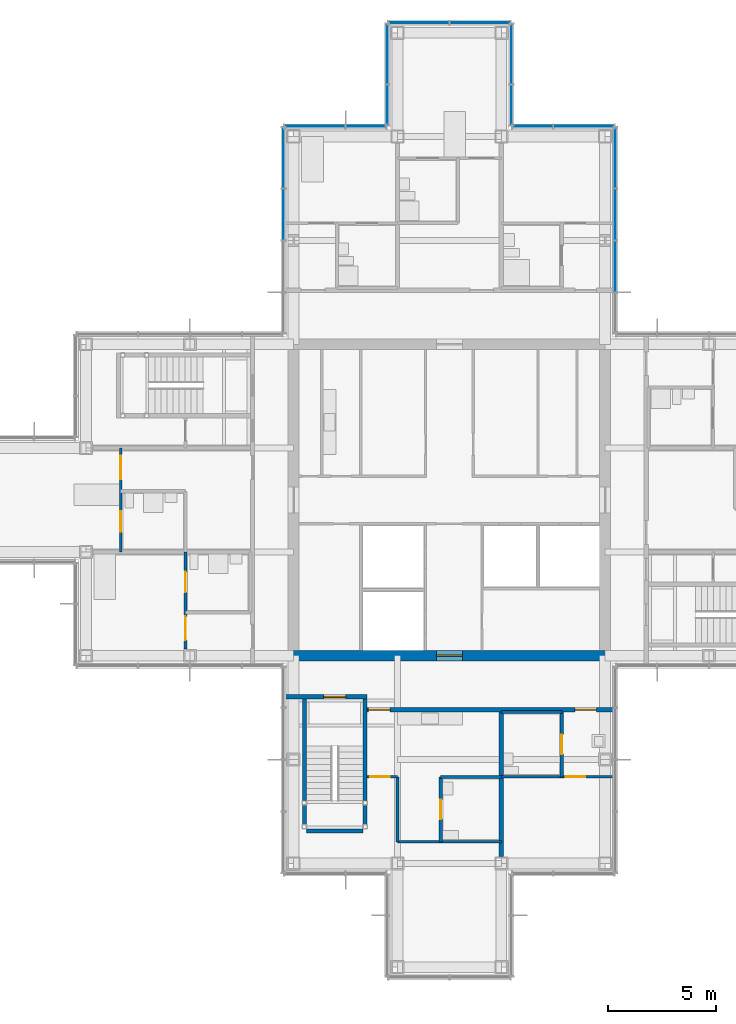
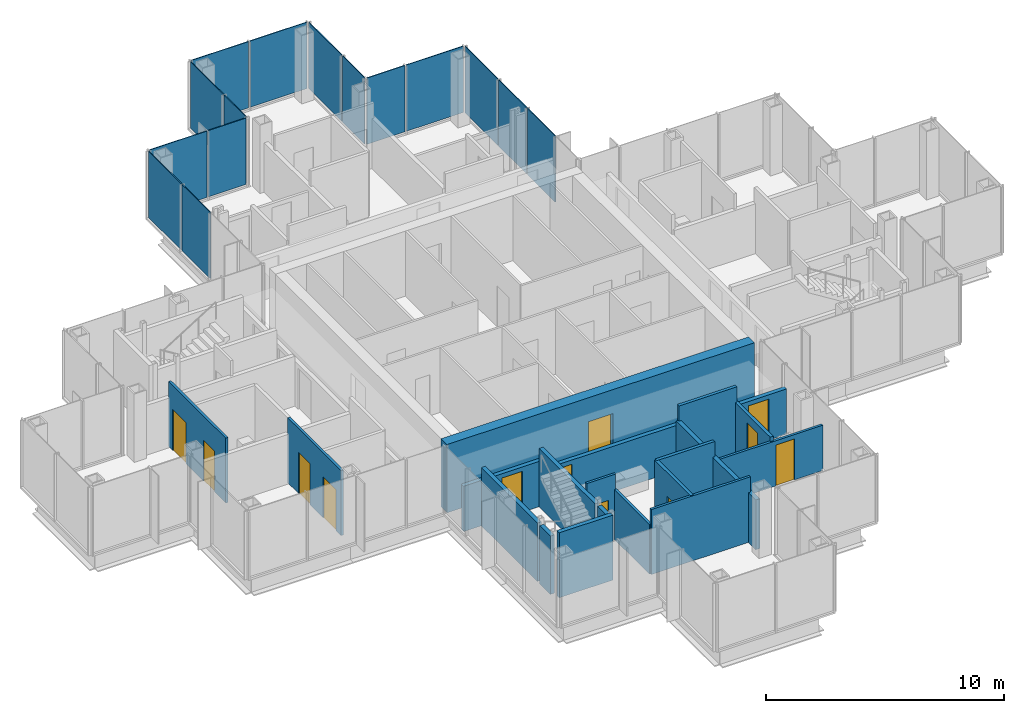
# One storey, part 11 of 17: 19 walls, 15 plates, 12 doors, 12 openings, 7 elements without a shape of their own.
"""IFC4 building model written with IfcOpenShell, lengths in metres."""

from ifc_helpers import new_model, si_unit, direction, frame, frame_2d, origin, origin_2d, place, context, subcontext, project, spatial, rectangle, extrude, material, layer, layer_set, type_object, element, fill, aggregate, save


model = new_model("IFC4")

# Units and contexts
model_context = context("Model", 3, precision=1e-05, world=origin(), true_north=direction((0.0, 1.0)))
body_context = subcontext(model_context, "Body", "Model", "MODEL_VIEW")
ifc_project = project(units=[si_unit("LENGTHUNIT", "METRE"), si_unit("AREAUNIT", "SQUARE_METRE"), si_unit("VOLUMEUNIT", "CUBIC_METRE"), si_unit("PLANEANGLEUNIT", "RADIAN"), si_unit("MASSUNIT", "GRAM", prefix="KILO")], contexts=[model_context])

# Site, building, storey
site_placement = place(None, origin())
site = spatial("IfcSite", under=ifc_project, at=site_placement, CompositionType="ELEMENT")
building_placement = place(site_placement, origin())
building = spatial("IfcBuilding", under=site, at=building_placement, Name="Kvirike Care Tower", CompositionType="ELEMENT")
storey_placement = place(building_placement, frame((0.0, 0.0, 151.5)))
storey = spatial("IfcBuildingStorey", under=building, at=storey_placement, Name="L41", CompositionType="ELEMENT", Elevation=151.5)

# Curtain wall, plates
ifc_material_1 = material(Name="Anodised aluminium stick system", Category="aluminium")
curtain_wall_type = type_object("IfcCurtainWallType", Name="CW-C STICK CURTAIN WALL", PredefinedType="NOTDEFINED", material=ifc_material_1)
curtain_wall_1_placement = place(storey_placement, origin())
curtain_wall_1 = element("IfcCurtainWall", 1, at=curtain_wall_1_placement, inside=storey, type_object=curtain_wall_type, Name="Curtain wall L41 face 8", PredefinedType="NOTDEFINED")
ifc_material_2 = material(Name="Tinted double glazed unit", Category="glass")
ifc_layer_1 = layer(ifc_material_2, 0.0400390625)
ifc_layer_set_1 = layer_set([ifc_layer_1], Name="TINTED VISION PANEL 40")
plate_type = type_object("IfcPlateType", Name="TINTED VISION PANEL 40", PredefinedType="CURTAIN_PANEL", material=ifc_layer_set_1)
plate_1_placement = place(storey_placement, frame((29.27001953125, 46.800048828125, 0.10009765625), z_axis=(0.0, 0.0, 1.0), x_axis=(0.0, 1.0, 0.0)))
plate_1 = element("IfcPlate", 2, at=plate_1_placement, type_object=plate_type, Name="CW-C panel L41 face 8.2", PredefinedType="CURTAIN_PANEL", context=body_context, shape_type="SweptSolid", body=[
    extrude(rectangle(XDim=2.3349609375, YDim=0.0400390625, at=origin_2d()), origin(), (0.0, 0.0, 1.0), 3.39990234375),
])
plate_2_placement = place(storey_placement, frame((29.27001953125, 49.199951171875, 0.10009765625), z_axis=(0.0, 0.0, 1.0), x_axis=(0.0, 1.0, 0.0)))
plate_2 = element("IfcPlate", 3, at=plate_2_placement, type_object=plate_type, Name="CW-C panel L41 face 8.3", PredefinedType="CURTAIN_PANEL", context=body_context, shape_type="SweptSolid", body=[
    extrude(rectangle(XDim=2.3349609375, YDim=0.0400390625, at=origin_2d()), origin(), (0.0, 0.0, 1.0), 3.39990234375),
])
plate_3_placement = place(storey_placement, frame((29.27001953125, 51.81884765625, 0.10009765625), z_axis=(0.0, 0.0, 1.0), x_axis=(0.0, 1.0, 0.0)))
plate_3 = element("IfcPlate", 4, at=plate_3_placement, type_object=plate_type, Name="CW-C panel L41 face 8.4", PredefinedType="CURTAIN_PANEL", context=body_context, shape_type="SweptSolid", body=[
    extrude(rectangle(XDim=2.7724609375, YDim=0.0400390625, at=origin_2d()), origin(), (0.0, 0.0, 1.0), 3.39990234375),
])
aggregate(curtain_wall_1, [plate_1, plate_2, plate_3])

curtain_wall_2_placement = place(storey_placement, origin())
curtain_wall_2 = element("IfcCurtainWall", 5, at=curtain_wall_2_placement, inside=storey, type_object=curtain_wall_type, Name="Curtain wall L41 face 9", PredefinedType="NOTDEFINED")
plate_4_placement = place(storey_placement, frame((27.81884765625, 53.27001953125, 0.10009765625), z_axis=(0.0, 0.0, 1.0), x_axis=(-1.0, 0.0, 0.0)))
plate_4 = element("IfcPlate", 6, at=plate_4_placement, type_object=plate_type, Name="CW-C panel L41 face 9.1", PredefinedType="CURTAIN_PANEL", context=body_context, shape_type="SweptSolid", body=[
    extrude(rectangle(XDim=2.7724609375, YDim=0.0400390625, at=origin_2d()), origin(), (0.0, 0.0, 1.0), 3.39990234375),
])
plate_5_placement = place(storey_placement, frame((25.451171875, 53.27001953125, 0.10009765625), z_axis=(0.0, 0.0, 1.0), x_axis=(-1.0, 0.0, 0.0)))
plate_5 = element("IfcPlate", 7, at=plate_5_placement, type_object=plate_type, Name="CW-C panel L41 face 9.2", PredefinedType="CURTAIN_PANEL", context=body_context, shape_type="SweptSolid", body=[
    extrude(rectangle(XDim=1.83251953125, YDim=0.0400390625, at=origin_2d()), origin(), (0.0, 0.0, 1.0), 3.39990234375),
])
aggregate(curtain_wall_2, [plate_4, plate_5])

curtain_wall_3_placement = place(storey_placement, origin())
curtain_wall_3 = element("IfcCurtainWall", 8, at=curtain_wall_3_placement, inside=storey, type_object=curtain_wall_type, Name="Curtain wall L41 face 10", PredefinedType="NOTDEFINED")
plate_6_placement = place(storey_placement, frame((24.469970703125, 54.251220703125, 0.10009765625), z_axis=(0.0, 0.0, 1.0), x_axis=(0.0, 1.0, 0.0)))
plate_6 = element("IfcPlate", 9, at=plate_6_placement, type_object=plate_type, Name="CW-C panel L41 face 10.1", PredefinedType="CURTAIN_PANEL", context=body_context, shape_type="SweptSolid", body=[
    extrude(rectangle(XDim=1.83251953125, YDim=0.0400390625, at=origin_2d()), origin(), (0.0, 0.0, 1.0), 3.39990234375),
])
plate_7_placement = place(storey_placement, frame((24.469970703125, 56.61865234375, 0.10009765625), z_axis=(0.0, 0.0, 1.0), x_axis=(0.0, 1.0, 0.0)))
plate_7 = element("IfcPlate", 10, at=plate_7_placement, type_object=plate_type, Name="CW-C panel L41 face 10.2", PredefinedType="CURTAIN_PANEL", context=body_context, shape_type="SweptSolid", body=[
    extrude(rectangle(XDim=2.7724609375, YDim=0.0400390625, at=origin_2d()), origin(), (0.0, 0.0, 1.0), 3.39990234375),
])
aggregate(curtain_wall_3, [plate_6, plate_7])

curtain_wall_4_placement = place(storey_placement, origin())
curtain_wall_4 = element("IfcCurtainWall", 11, at=curtain_wall_4_placement, inside=storey, type_object=curtain_wall_type, Name="Curtain wall L41 face 11", PredefinedType="NOTDEFINED")
plate_8_placement = place(storey_placement, frame((23.018798828125, 58.070068359375, 0.10009765625), z_axis=(0.0, 0.0, 1.0), x_axis=(-1.0, 0.0, 0.0)))
plate_8 = element("IfcPlate", 12, at=plate_8_placement, type_object=plate_type, Name="CW-C panel L41 face 11.1", PredefinedType="CURTAIN_PANEL", context=body_context, shape_type="SweptSolid", body=[
    extrude(rectangle(XDim=2.7724609375, YDim=0.0400390625, at=origin_2d()), origin(), (0.0, 0.0, 1.0), 3.39990234375),
])
plate_9_placement = place(storey_placement, frame((20.18115234375, 58.070068359375, 0.10009765625), z_axis=(0.0, 0.0, 1.0), x_axis=(-1.0, 0.0, 0.0)))
plate_9 = element("IfcPlate", 13, at=plate_9_placement, type_object=plate_type, Name="CW-C panel L41 face 11.2", PredefinedType="CURTAIN_PANEL", context=body_context, shape_type="SweptSolid", body=[
    extrude(rectangle(XDim=2.7724609375, YDim=0.0400390625, at=origin_2d()), origin(), (0.0, 0.0, 1.0), 3.39990234375),
])
aggregate(curtain_wall_4, [plate_8, plate_9])

curtain_wall_5_placement = place(storey_placement, origin())
curtain_wall_5 = element("IfcCurtainWall", 14, at=curtain_wall_5_placement, inside=storey, type_object=curtain_wall_type, Name="Curtain wall L41 face 12", PredefinedType="NOTDEFINED")
plate_10_placement = place(storey_placement, frame((18.72998046875, 56.61865234375, 0.10009765625), z_axis=(0.0, 0.0, 1.0), x_axis=(0.0, -1.0, 0.0)))
plate_10 = element("IfcPlate", 15, at=plate_10_placement, type_object=plate_type, Name="CW-C panel L41 face 12.1", PredefinedType="CURTAIN_PANEL", context=body_context, shape_type="SweptSolid", body=[
    extrude(rectangle(XDim=2.7724609375, YDim=0.0400390625, at=origin_2d()), origin(), (0.0, 0.0, 1.0), 3.39990234375),
])
plate_11_placement = place(storey_placement, frame((18.72998046875, 54.251220703125, 0.10009765625), z_axis=(0.0, 0.0, 1.0), x_axis=(0.0, -1.0, 0.0)))
plate_11 = element("IfcPlate", 16, at=plate_11_placement, type_object=plate_type, Name="CW-C panel L41 face 12.2", PredefinedType="CURTAIN_PANEL", context=body_context, shape_type="SweptSolid", body=[
    extrude(rectangle(XDim=1.83251953125, YDim=0.0400390625, at=origin_2d()), origin(), (0.0, 0.0, 1.0), 3.39990234375),
])
aggregate(curtain_wall_5, [plate_10, plate_11])

curtain_wall_6_placement = place(storey_placement, origin())
curtain_wall_6 = element("IfcCurtainWall", 17, at=curtain_wall_6_placement, inside=storey, type_object=curtain_wall_type, Name="Curtain wall L41 face 13", PredefinedType="NOTDEFINED")
plate_12_placement = place(storey_placement, frame((17.748779296875, 53.27001953125, 0.10009765625), z_axis=(0.0, 0.0, 1.0), x_axis=(-1.0, 0.0, 0.0)))
plate_12 = element("IfcPlate", 18, at=plate_12_placement, type_object=plate_type, Name="CW-C panel L41 face 13.1", PredefinedType="CURTAIN_PANEL", context=body_context, shape_type="SweptSolid", body=[
    extrude(rectangle(XDim=1.83251953125, YDim=0.0400390625, at=origin_2d()), origin(), (0.0, 0.0, 1.0), 3.39990234375),
])
plate_13_placement = place(storey_placement, frame((15.38134765625, 53.27001953125, 0.10009765625), z_axis=(0.0, 0.0, 1.0), x_axis=(-1.0, 0.0, 0.0)))
plate_13 = element("IfcPlate", 19, at=plate_13_placement, type_object=plate_type, Name="CW-C panel L41 face 13.2", PredefinedType="CURTAIN_PANEL", context=body_context, shape_type="SweptSolid", body=[
    extrude(rectangle(XDim=2.7724609375, YDim=0.0400390625, at=origin_2d()), origin(), (0.0, 0.0, 1.0), 3.39990234375),
])
aggregate(curtain_wall_6, [plate_12, plate_13])

curtain_wall_7_placement = place(storey_placement, origin())
curtain_wall_7 = element("IfcCurtainWall", 20, at=curtain_wall_7_placement, inside=storey, type_object=curtain_wall_type, Name="Curtain wall L41 face 14", PredefinedType="NOTDEFINED")
plate_14_placement = place(storey_placement, frame((13.929931640625, 51.81884765625, 0.10009765625), z_axis=(0.0, 0.0, 1.0), x_axis=(0.0, -1.0, 0.0)))
plate_14 = element("IfcPlate", 21, at=plate_14_placement, type_object=plate_type, Name="CW-C panel L41 face 14.1", PredefinedType="CURTAIN_PANEL", context=body_context, shape_type="SweptSolid", body=[
    extrude(rectangle(XDim=2.7724609375, YDim=0.0400390625, at=origin_2d()), origin(), (0.0, 0.0, 1.0), 3.39990234375),
])
plate_15_placement = place(storey_placement, frame((13.929931640625, 49.199951171875, 0.10009765625), z_axis=(0.0, 0.0, 1.0), x_axis=(0.0, -1.0, 0.0)))
plate_15 = element("IfcPlate", 22, at=plate_15_placement, type_object=plate_type, Name="CW-C panel L41 face 14.2", PredefinedType="CURTAIN_PANEL", context=body_context, shape_type="SweptSolid", body=[
    extrude(rectangle(XDim=2.3349609375, YDim=0.0400390625, at=origin_2d()), origin(), (0.0, 0.0, 1.0), 3.39990234375),
])
aggregate(curtain_wall_7, [plate_14, plate_15])

# Wall, opening, door
ifc_material_3 = material(Name="Moisture-resistant board partition", Category="gypsum")
ifc_layer_2 = layer(ifc_material_3, 0.14990234375)
ifc_layer_set_2 = layer_set([ifc_layer_2], Name="BATHROOM WALL 150")
wall_type_1 = type_object("IfcWallType", Name="BATHROOM WALL 150", PredefinedType="PARTITIONING", material=ifc_layer_set_2)
wall_1_placement = place(storey_placement, frame((21.199951171875, 20.199951171875, 0.0), z_axis=(0.0, 0.0, 1.0), x_axis=(0.0, 1.0, 0.0)))
wall_1 = element("IfcWall", 23, at=wall_1_placement, inside=storey, type_object=wall_type_1, Name="Bathroom Wall 150 L41", PredefinedType="PARTITIONING", context=body_context, shape_type="SweptSolid", body=[
    extrude(rectangle(XDim=3.0, YDim=0.14990234375, at=frame_2d((1.5, 0.0))), origin(), (0.0, 0.0, 1.0), 3.330078125),
])
opening_1_placement = place(wall_1_placement, frame((1.050048828125, 0.0, 0.0)))
opening_1 = element("IfcOpeningElement", 24, at=opening_1_placement, cuts=wall_1, Name="Opening 41-011", PredefinedType="OPENING", context=body_context, shape_type="SweptSolid", body=[
    extrude(rectangle(XDim=0.89990234375, YDim=2.10009765625, at=frame_2d((0.449951171875, 1.050048828125))), frame((0.0, 0.08544921875, 0.0), z_axis=(0.0, -1.0, 0.0), x_axis=(1.0, 0.0, 0.0)), (0.0, 0.0, 1.0), 0.1708984375),
])
ifc_material_4 = material(Name="Timber door set", Category="wood")
door_type_1 = type_object("IfcDoorType", Name="BATHROOM DOOR 900", OperationType="SINGLE_SWING_RIGHT", PredefinedType="DOOR", material=ifc_material_4)
door_1_placement = place(opening_1_placement, frame((0.89990234375, 0.0, 0.0), z_axis=(0.0, 0.0, 1.0), x_axis=(-1.0, 0.0, 0.0)))
door_1 = element("IfcDoor", 25, at=door_1_placement, inside=storey, type_object=door_type_1, Name="Accessible WC door", OperationType="SINGLE_SWING_LEFT", OverallHeight=2.10009765625, OverallWidth=0.89990234375, PredefinedType="DOOR", context=body_context, shape_type="SweptSolid", body=[
    extrude(rectangle(XDim=0.89990234375, YDim=2.10009765625, at=frame_2d((0.449951171875, 1.050048828125))), frame((0.0, 0.02197265625, 0.0), z_axis=(0.0, -1.0, 0.0), x_axis=(1.0, 0.0, 0.0)), (0.0, 0.0, 1.0), 0.0439453125),
])
fill(opening_1, door_1)

# Wall
wall_2_placement = place(storey_placement, frame((21.199951171875, 23.199951171875, 0.0), z_axis=(0.0, 0.0, 1.0), x_axis=(1.0, 0.0, 0.0)))
element("IfcWall", 26, at=wall_2_placement, inside=storey, type_object=wall_type_1, Name="Bathroom Wall 150 L41", PredefinedType="PARTITIONING", context=body_context, shape_type="SweptSolid", body=[
    extrude(rectangle(XDim=2.800048828125, YDim=0.14990234375, at=frame_2d((1.39990234375, 0.0))), origin(), (0.0, 0.0, 1.0), 3.330078125),
])

# Wall, opening, door
wall_3_placement = place(storey_placement, frame((26.800048828125, 23.199951171875, 0.0), z_axis=(0.0, 0.0, 1.0), x_axis=(0.0, 1.0, 0.0)))
wall_3 = element("IfcWall", 27, at=wall_3_placement, inside=storey, type_object=wall_type_1, Name="Bathroom Wall 150 L41", PredefinedType="PARTITIONING", context=body_context, shape_type="SweptSolid", body=[
    extrude(rectangle(XDim=3.0, YDim=0.14990234375, at=frame_2d((1.5, 0.0))), origin(), (0.0, 0.0, 1.0), 2.550048828125),
])
opening_2_placement = place(wall_3_placement, frame((1.050048828125, 0.0, 0.0)))
opening_2 = element("IfcOpeningElement", 28, at=opening_2_placement, cuts=wall_3, Name="Opening 41-013", PredefinedType="OPENING", context=body_context, shape_type="SweptSolid", body=[
    extrude(rectangle(XDim=0.89990234375, YDim=2.10009765625, at=frame_2d((0.449951171875, 1.050048828125))), frame((0.0, 0.08544921875, 0.0), z_axis=(0.0, -1.0, 0.0), x_axis=(1.0, 0.0, 0.0)), (0.0, 0.0, 1.0), 0.1708984375),
])
door_2_placement = place(opening_2_placement, frame((0.89990234375, 0.0, 0.0), z_axis=(0.0, 0.0, 1.0), x_axis=(-1.0, 0.0, 0.0)))
door_2 = element("IfcDoor", 29, at=door_2_placement, inside=storey, type_object=door_type_1, Name="Staff WC door", OperationType="SINGLE_SWING_LEFT", OverallHeight=2.10009765625, OverallWidth=0.89990234375, PredefinedType="DOOR", context=body_context, shape_type="SweptSolid", body=[
    extrude(rectangle(XDim=0.89990234375, YDim=2.10009765625, at=frame_2d((0.449951171875, 1.050048828125))), frame((0.0, 0.02197265625, 0.0), z_axis=(0.0, -1.0, 0.0), x_axis=(1.0, 0.0, 0.0)), (0.0, 0.0, 1.0), 0.0439453125),
])
fill(opening_2, door_2)

# Wall
wall_4_placement = place(storey_placement, frame((24.0, 26.199951171875, 0.0), z_axis=(0.0, 0.0, 1.0), x_axis=(1.0, 0.0, 0.0)))
element("IfcWall", 30, at=wall_4_placement, inside=storey, type_object=wall_type_1, Name="Bathroom Wall 150 L41", PredefinedType="PARTITIONING", context=body_context, shape_type="SweptSolid", body=[
    extrude(rectangle(XDim=2.800048828125, YDim=0.14990234375, at=frame_2d((1.39990234375, 0.0))), origin(), (0.0, 0.0, 1.0), 3.330078125),
])

# Wall, opening, door
ifc_material_5 = material(Name="Concrete C45/55", Category="concrete")
ifc_layer_3 = layer(ifc_material_5, 0.5)
ifc_layer_set_3 = layer_set([ifc_layer_3], Name="CORE WALL 500 C45-55")
wall_type_2 = type_object("IfcWallType", Name="CORE WALL 500 C45-55", PredefinedType="SHEAR", material=ifc_layer_set_3)
wall_5_placement = place(storey_placement, frame((14.14990234375, 28.800048828125, -0.169921875), z_axis=(0.0, 0.0, 1.0), x_axis=(1.0, 0.0, 0.0)))
wall_5 = element("IfcWall", 31, at=wall_5_placement, inside=storey, type_object=wall_type_2, Name="Core wall S L41", PredefinedType="SHEAR", context=body_context, shape_type="SweptSolid", body=[
    extrude(rectangle(XDim=14.900146484375, YDim=0.5, at=frame_2d((7.4501953125, 0.0))), origin(), (0.0, 0.0, 1.0), 3.5),
])
opening_3_placement = place(wall_5_placement, frame((6.85009765625, 0.0, 0.169921875)))
opening_3 = element("IfcOpeningElement", 32, at=opening_3_placement, cuts=wall_5, Name="Opening 41-048", PredefinedType="OPENING", context=body_context, shape_type="SweptSolid", body=[
    extrude(rectangle(XDim=1.199951171875, YDim=2.10009765625, at=frame_2d((0.60009765625, 1.050048828125))), frame((0.0, 0.260498046875, 0.0), z_axis=(0.0, -1.0, 0.0), x_axis=(1.0, 0.0, 0.0)), (0.0, 0.0, 1.0), 0.52099609375),
])
ifc_material_6 = material(Name="Timber door set", Category="wood")
door_type_2 = type_object("IfcDoorType", Name="CORE DOOR 1200", OperationType="SINGLE_SWING_LEFT", PredefinedType="DOOR", material=ifc_material_6)
door_3_placement = place(opening_3_placement, origin())
door_3 = element("IfcDoor", 33, at=door_3_placement, inside=storey, type_object=door_type_2, Name="Core door S L41", OperationType="SINGLE_SWING_LEFT", OverallHeight=2.10009765625, OverallWidth=1.199951171875, PredefinedType="DOOR", context=body_context, shape_type="SweptSolid", body=[
    extrude(rectangle(XDim=1.199951171875, YDim=2.10009765625, at=frame_2d((0.60009765625, 1.050048828125))), frame((0.0, 0.02685546875, 0.0), z_axis=(0.0, -1.0, 0.0), x_axis=(1.0, 0.0, 0.0)), (0.0, 0.0, 1.0), 0.053955078125),
])
fill(opening_3, door_3)

# Wall, openings, doors
ifc_material_7 = material(Name="Plasterboard corridor wall", Category="gypsum")
ifc_layer_4 = layer(ifc_material_7, 0.199951171875)
ifc_layer_set_4 = layer_set([ifc_layer_4], Name="CORRIDOR WALL 200")
wall_type_3 = type_object("IfcWallType", Name="CORRIDOR WALL 200", PredefinedType="PARTITIONING", material=ifc_layer_set_4)
wall_6_placement = place(storey_placement, frame((17.800048828125, 26.300048828125, 0.0), z_axis=(0.0, 0.0, 1.0), x_axis=(1.0, 0.0, 0.0)))
wall_6 = element("IfcWall", 34, at=wall_6_placement, inside=storey, type_object=wall_type_3, Name="Corridor Wall 200 L41", PredefinedType="PARTITIONING", context=body_context, shape_type="SweptSolid", body=[
    extrude(rectangle(XDim=11.449951171875, YDim=0.199951171875, at=frame_2d((5.72509765625, 0.0))), origin(), (0.0, 0.0, 1.0), 2.320068359375),
])
opening_4_placement = place(wall_6_placement, frame((0.06005859375, 0.0, 0.0)))
opening_4 = element("IfcOpeningElement", 35, at=opening_4_placement, cuts=wall_6, Name="Opening 41-015", PredefinedType="OPENING", context=body_context, shape_type="SweptSolid", body=[
    extrude(rectangle(XDim=1.0, YDim=2.10009765625, at=frame_2d((0.5, 1.050048828125))), frame((0.0, 0.110595703125, 0.0), z_axis=(0.0, -1.0, 0.0), x_axis=(1.0, 0.0, 0.0)), (0.0, 0.0, 1.0), 0.220947265625),
])
opening_5_placement = place(wall_6_placement, frame((9.60009765625, 0.0, 0.0)))
opening_5 = element("IfcOpeningElement", 36, at=opening_5_placement, cuts=wall_6, Name="Opening 41-016", PredefinedType="OPENING", context=body_context, shape_type="SweptSolid", body=[
    extrude(rectangle(XDim=1.0, YDim=2.10009765625, at=frame_2d((0.5, 1.050048828125))), frame((0.0, 0.110595703125, 0.0), z_axis=(0.0, -1.0, 0.0), x_axis=(1.0, 0.0, 0.0)), (0.0, 0.0, 1.0), 0.220947265625),
])
ifc_material_8 = material(Name="Timber door set", Category="wood")
door_type_3 = type_object("IfcDoorType", Name="FLAT ENTRANCE DOOR 1000", OperationType="SINGLE_SWING_LEFT", PredefinedType="DOOR", material=ifc_material_8)
door_4_placement = place(opening_4_placement, frame((1.0, 0.0, 0.0), z_axis=(0.0, 0.0, 1.0), x_axis=(-1.0, 0.0, 0.0)))
door_4 = element("IfcDoor", 37, at=door_4_placement, inside=storey, type_object=door_type_3, Name="Household lounge entrance", OperationType="SINGLE_SWING_LEFT", OverallHeight=2.10009765625, OverallWidth=1.0, PredefinedType="DOOR", context=body_context, shape_type="SweptSolid", body=[
    extrude(rectangle(XDim=1.0, YDim=2.10009765625, at=frame_2d((0.5, 1.050048828125))), frame((0.0, 0.02685546875, 0.0), z_axis=(0.0, -1.0, 0.0), x_axis=(1.0, 0.0, 0.0)), (0.0, 0.0, 1.0), 0.053955078125),
])
fill(opening_4, door_4)
door_5_placement = place(opening_5_placement, frame((1.0, 0.0, 0.0), z_axis=(0.0, 0.0, 1.0), x_axis=(-1.0, 0.0, 0.0)))
door_5 = element("IfcDoor", 38, at=door_5_placement, inside=storey, type_object=door_type_3, Name="Household dining entrance", OperationType="SINGLE_SWING_RIGHT", OverallHeight=2.10009765625, OverallWidth=1.0, PredefinedType="DOOR", context=body_context, shape_type="SweptSolid", body=[
    extrude(rectangle(XDim=1.0, YDim=2.10009765625, at=frame_2d((0.5, 1.050048828125))), frame((0.0, 0.02685546875, 0.0), z_axis=(0.0, -1.0, 0.0), x_axis=(1.0, 0.0, 0.0)), (0.0, 0.0, 1.0), 0.053955078125),
])
fill(opening_5, door_5)

ifc_material_9 = material(Name="Plasterboard partition", Category="gypsum")
ifc_layer_5 = layer(ifc_material_9, 0.1201171875)
ifc_layer_set_5 = layer_set([ifc_layer_5], Name="PARTITION 120")
wall_type_4 = type_object("IfcWallType", Name="PARTITION 120", PredefinedType="PARTITIONING", material=ifc_layer_set_5)
wall_7_placement = place(storey_placement, frame((6.39990234375, 38.39990234375, 0.0), z_axis=(0.0, 0.0, 1.0), x_axis=(0.0, -1.0, 0.0)))
wall_7 = element("IfcWall", 39, at=wall_7_placement, inside=storey, type_object=wall_type_4, Name="Partition 120 L41", PredefinedType="PARTITIONING", context=body_context, shape_type="SweptSolid", body=[
    extrude(rectangle(XDim=4.7998046875, YDim=0.1201171875, at=frame_2d((2.39990234375, 0.0))), origin(), (0.0, 0.0, 1.0), 3.330078125),
])
opening_6_placement = place(wall_7_placement, frame((0.35009765625, 0.0, 0.0)))
opening_6 = element("IfcOpeningElement", 40, at=opening_6_placement, cuts=wall_7, Name="Opening 41-002", PredefinedType="OPENING", context=body_context, shape_type="SweptSolid", body=[
    extrude(rectangle(XDim=1.10009765625, YDim=2.10009765625, at=frame_2d((0.550048828125, 1.050048828125))), frame((0.0, 0.070556640625, 0.0), z_axis=(0.0, -1.0, 0.0), x_axis=(1.0, 0.0, 0.0)), (0.0, 0.0, 1.0), 0.14111328125),
])
opening_7_placement = place(wall_7_placement, frame((2.925048828125, 0.0, 0.0)))
opening_7 = element("IfcOpeningElement", 41, at=opening_7_placement, cuts=wall_7, Name="Opening 41-003", PredefinedType="OPENING", context=body_context, shape_type="SweptSolid", body=[
    extrude(rectangle(XDim=0.949951171875, YDim=2.10009765625, at=frame_2d((0.47509765625, 1.050048828125))), frame((0.0, 0.070556640625, 0.0), z_axis=(0.0, -1.0, 0.0), x_axis=(1.0, 0.0, 0.0)), (0.0, 0.0, 1.0), 0.14111328125),
])
ifc_material_10 = material(Name="Timber door set", Category="wood")
door_type_4 = type_object("IfcDoorType", Name="BEDROOM DOOR 1100", OperationType="SINGLE_SWING_LEFT", PredefinedType="DOOR", material=ifc_material_10)
door_6_placement = place(opening_6_placement, origin())
door_6 = element("IfcDoor", 42, at=door_6_placement, inside=storey, type_object=door_type_4, Name="Memory care bedroom door", OperationType="SINGLE_SWING_RIGHT", OverallHeight=2.10009765625, OverallWidth=1.10009765625, PredefinedType="DOOR", context=body_context, shape_type="SweptSolid", body=[
    extrude(rectangle(XDim=1.10009765625, YDim=2.10009765625, at=frame_2d((0.550048828125, 1.050048828125))), frame((0.0, 0.02197265625, 0.0), z_axis=(0.0, -1.0, 0.0), x_axis=(1.0, 0.0, 0.0)), (0.0, 0.0, 1.0), 0.0439453125),
])
fill(opening_6, door_6)
ifc_material_11 = material(Name="Timber door set", Category="wood")
door_type_5 = type_object("IfcDoorType", Name="EN-SUITE SLIDING DOOR 950", OperationType="SLIDING_TO_LEFT", PredefinedType="DOOR", material=ifc_material_11)
door_7_placement = place(opening_7_placement, origin())
door_7 = element("IfcDoor", 43, at=door_7_placement, inside=storey, type_object=door_type_5, Name="En-suite door", OperationType="SLIDING_TO_RIGHT", OverallHeight=2.10009765625, OverallWidth=0.949951171875, PredefinedType="DOOR", context=body_context, shape_type="SweptSolid", body=[
    extrude(rectangle(XDim=0.949951171875, YDim=2.10009765625, at=frame_2d((0.47509765625, 1.050048828125))), frame((0.0, 0.02197265625, 0.0), z_axis=(0.0, -1.0, 0.0), x_axis=(1.0, 0.0, 0.0)), (0.0, 0.0, 1.0), 0.0439453125),
])
fill(opening_7, door_7)

wall_8_placement = place(storey_placement, frame((9.39990234375, 33.60009765625, 0.0), z_axis=(0.0, 0.0, 1.0), x_axis=(0.0, -1.0, 0.0)))
wall_8 = element("IfcWall", 44, at=wall_8_placement, inside=storey, type_object=wall_type_4, Name="Partition 120 L41", PredefinedType="PARTITIONING", context=body_context, shape_type="SweptSolid", body=[
    extrude(rectangle(XDim=4.47998046875, YDim=0.1201171875, at=frame_2d((2.239990234375, 0.0))), origin(), (0.0, 0.0, 1.0), 3.330078125),
])
opening_8_placement = place(wall_8_placement, frame((2.97509765625, 0.0, 0.0)))
opening_8 = element("IfcOpeningElement", 45, at=opening_8_placement, cuts=wall_8, Name="Opening 41-004", PredefinedType="OPENING", context=body_context, shape_type="SweptSolid", body=[
    extrude(rectangle(XDim=1.10009765625, YDim=2.10009765625, at=frame_2d((0.550048828125, 1.050048828125))), frame((0.0, 0.070556640625, 0.0), z_axis=(0.0, -1.0, 0.0), x_axis=(1.0, 0.0, 0.0)), (0.0, 0.0, 1.0), 0.14111328125),
])
opening_9_placement = place(wall_8_placement, frame((0.925048828125, 0.0, 0.0)))
opening_9 = element("IfcOpeningElement", 46, at=opening_9_placement, cuts=wall_8, Name="Opening 41-005", PredefinedType="OPENING", context=body_context, shape_type="SweptSolid", body=[
    extrude(rectangle(XDim=0.949951171875, YDim=2.10009765625, at=frame_2d((0.47509765625, 1.050048828125))), frame((0.0, 0.070556640625, 0.0), z_axis=(0.0, -1.0, 0.0), x_axis=(1.0, 0.0, 0.0)), (0.0, 0.0, 1.0), 0.14111328125),
])
door_8_placement = place(opening_8_placement, origin())
door_8 = element("IfcDoor", 47, at=door_8_placement, inside=storey, type_object=door_type_4, Name="Memory care bedroom door", OperationType="SINGLE_SWING_RIGHT", OverallHeight=2.10009765625, OverallWidth=1.10009765625, PredefinedType="DOOR", context=body_context, shape_type="SweptSolid", body=[
    extrude(rectangle(XDim=1.10009765625, YDim=2.10009765625, at=frame_2d((0.550048828125, 1.050048828125))), frame((0.0, 0.02197265625, 0.0), z_axis=(0.0, -1.0, 0.0), x_axis=(1.0, 0.0, 0.0)), (0.0, 0.0, 1.0), 0.0439453125),
])
fill(opening_8, door_8)
door_9_placement = place(opening_9_placement, origin())
door_9 = element("IfcDoor", 48, at=door_9_placement, inside=storey, type_object=door_type_5, Name="En-suite door", OperationType="SLIDING_TO_RIGHT", OverallHeight=2.10009765625, OverallWidth=0.949951171875, PredefinedType="DOOR", context=body_context, shape_type="SweptSolid", body=[
    extrude(rectangle(XDim=0.949951171875, YDim=2.10009765625, at=frame_2d((0.47509765625, 1.050048828125))), frame((0.0, 0.02197265625, 0.0), z_axis=(0.0, -1.0, 0.0), x_axis=(1.0, 0.0, 0.0)), (0.0, 0.0, 1.0), 0.0439453125),
])
fill(opening_9, door_9)

# Wall, opening, door
wall_9_placement = place(storey_placement, frame((17.800048828125, 23.199951171875, 0.0), z_axis=(0.0, 0.0, 1.0), x_axis=(1.0, 0.0, 0.0)))
wall_9 = element("IfcWall", 49, at=wall_9_placement, inside=storey, type_object=wall_type_4, Name="Partition 120 L41", PredefinedType="PARTITIONING", context=body_context, shape_type="SweptSolid", body=[
    extrude(rectangle(XDim=1.39990234375, YDim=0.1201171875, at=frame_2d((0.699951171875, 0.0))), origin(), (0.0, 0.0, 1.0), 3.330078125),
])
opening_10_placement = place(wall_9_placement, frame((0.14990234375, 0.0, 0.0)))
opening_10 = element("IfcOpeningElement", 50, at=opening_10_placement, cuts=wall_9, Name="Opening 41-012", PredefinedType="OPENING", context=body_context, shape_type="SweptSolid", body=[
    extrude(rectangle(XDim=0.89990234375, YDim=2.10009765625, at=frame_2d((0.449951171875, 1.050048828125))), frame((0.0, 0.070556640625, 0.0), z_axis=(0.0, -1.0, 0.0), x_axis=(1.0, 0.0, 0.0)), (0.0, 0.0, 1.0), 0.14111328125),
])
ifc_material_12 = material(Name="Timber door set", Category="wood")
door_type_6 = type_object("IfcDoorType", Name="INTERNAL DOOR 900", OperationType="SINGLE_SWING_LEFT", PredefinedType="DOOR", material=ifc_material_12)
door_10_placement = place(opening_10_placement, origin())
door_10 = element("IfcDoor", 51, at=door_10_placement, inside=storey, type_object=door_type_6, Name="Household lounge door", OperationType="SINGLE_SWING_RIGHT", OverallHeight=2.10009765625, OverallWidth=0.89990234375, PredefinedType="DOOR", context=body_context, shape_type="SweptSolid", body=[
    extrude(rectangle(XDim=0.89990234375, YDim=2.10009765625, at=frame_2d((0.449951171875, 1.050048828125))), frame((0.0, 0.02197265625, 0.0), z_axis=(0.0, -1.0, 0.0), x_axis=(1.0, 0.0, 0.0)), (0.0, 0.0, 1.0), 0.0439453125),
])
fill(opening_10, door_10)

# Walls
wall_10_placement = place(storey_placement, frame((19.199951171875, 20.199951171875, 0.0), z_axis=(0.0, 0.0, 1.0), x_axis=(1.0, 0.0, 0.0)))
element("IfcWall", 52, at=wall_10_placement, inside=storey, type_object=wall_type_4, Name="Partition 120 L41", PredefinedType="PARTITIONING", context=body_context, shape_type="SweptSolid", body=[
    extrude(rectangle(XDim=4.800048828125, YDim=0.1201171875, at=frame_2d((2.39990234375, 0.0))), origin(), (0.0, 0.0, 1.0), 3.330078125),
])
wall_11_placement = place(storey_placement, frame((19.199951171875, 20.199951171875, 0.0), z_axis=(0.0, 0.0, 1.0), x_axis=(0.0, 1.0, 0.0)))
element("IfcWall", 53, at=wall_11_placement, inside=storey, type_object=wall_type_4, Name="Partition 120 L41", PredefinedType="PARTITIONING", context=body_context, shape_type="SweptSolid", body=[
    extrude(rectangle(XDim=3.0, YDim=0.1201171875, at=frame_2d((1.5, 0.0))), origin(), (0.0, 0.0, 1.0), 2.550048828125),
])

# Wall, opening, door
wall_12_placement = place(storey_placement, frame((24.0, 23.199951171875, 0.0), z_axis=(0.0, 0.0, 1.0), x_axis=(1.0, 0.0, 0.0)))
wall_12 = element("IfcWall", 54, at=wall_12_placement, inside=storey, type_object=wall_type_4, Name="Partition 120 L41", PredefinedType="PARTITIONING", context=body_context, shape_type="SweptSolid", body=[
    extrude(rectangle(XDim=5.25, YDim=0.1201171875, at=frame_2d((2.625, 0.0))), origin(), (0.0, 0.0, 1.0), 2.320068359375),
])
opening_11_placement = place(wall_12_placement, frame((2.97509765625, 0.0, 0.0)))
opening_11 = element("IfcOpeningElement", 55, at=opening_11_placement, cuts=wall_12, Name="Opening 41-014", PredefinedType="OPENING", context=body_context, shape_type="SweptSolid", body=[
    extrude(rectangle(XDim=0.89990234375, YDim=2.10009765625, at=frame_2d((0.449951171875, 1.050048828125))), frame((0.0, 0.070556640625, 0.0), z_axis=(0.0, -1.0, 0.0), x_axis=(1.0, 0.0, 0.0)), (0.0, 0.0, 1.0), 0.14111328125),
])
door_11_placement = place(opening_11_placement, origin())
door_11 = element("IfcDoor", 56, at=door_11_placement, inside=storey, type_object=door_type_6, Name="Household dining room door", OperationType="SINGLE_SWING_RIGHT", OverallHeight=2.10009765625, OverallWidth=0.89990234375, PredefinedType="DOOR", context=body_context, shape_type="SweptSolid", body=[
    extrude(rectangle(XDim=0.89990234375, YDim=2.10009765625, at=frame_2d((0.449951171875, 1.050048828125))), frame((0.0, 0.02197265625, 0.0), z_axis=(0.0, -1.0, 0.0), x_axis=(1.0, 0.0, 0.0)), (0.0, 0.0, 1.0), 0.0439453125),
])
fill(opening_11, door_11)

# Walls
ifc_material_13 = material(Name="Plasterboard party wall", Category="gypsum")
ifc_layer_6 = layer(ifc_material_13, 0.199951171875)
ifc_layer_set_6 = layer_set([ifc_layer_6], Name="PARTY WALL 200")
wall_type_5 = type_object("IfcWallType", Name="PARTY WALL 200", PredefinedType="PARTITIONING", material=ifc_layer_set_6)
wall_13_placement = place(storey_placement, frame((24.0, 19.52001953125, 0.0), z_axis=(0.0, 0.0, 1.0), x_axis=(0.0, 1.0, 0.0)))
element("IfcWall", 57, at=wall_13_placement, inside=storey, type_object=wall_type_5, Name="Party Wall 200 L41", PredefinedType="PARTITIONING", context=body_context, shape_type="SweptSolid", body=[
    extrude(rectangle(XDim=6.679931640625, YDim=0.199951171875, at=frame_2d((3.33984375, 0.0))), origin(), (0.0, 0.0, 1.0), 2.550048828125),
])
ifc_material_14 = material(Name="Concrete C40/50", Category="concrete")
ifc_layer_7 = layer(ifc_material_14, 0.199951171875)
ifc_layer_set_7 = layer_set([ifc_layer_7], Name="STAIR WALL 200")
wall_type_6 = type_object("IfcWallType", Name="STAIR WALL 200", PredefinedType="SOLIDWALL", material=ifc_layer_set_7)
wall_14_placement = place(storey_placement, frame((14.89990234375, 21.0, 0.0), z_axis=(0.0, 0.0, 1.0), x_axis=(0.0, 1.0, 0.0)))
element("IfcWall", 58, at=wall_14_placement, inside=storey, type_object=wall_type_6, Name="Stair Wall 200 L41", PredefinedType="SOLIDWALL", context=body_context, shape_type="SweptSolid", body=[
    extrude(rectangle(XDim=0.89990234375, YDim=0.199951171875, at=frame_2d((0.449951171875, 0.0))), origin(), (0.0, 0.0, 1.0), 2.989990234375),
])
wall_15_placement = place(storey_placement, frame((14.89990234375, 22.10009765625, 0.0), z_axis=(0.0, 0.0, 1.0), x_axis=(0.0, 1.0, 0.0)))
element("IfcWall", 59, at=wall_15_placement, inside=storey, type_object=wall_type_6, Name="Stair Wall 200 L41", PredefinedType="SOLIDWALL", context=body_context, shape_type="SweptSolid", body=[
    extrude(rectangle(XDim=4.699951171875, YDim=0.199951171875, at=frame_2d((2.35009765625, 0.0))), origin(), (0.0, 0.0, 1.0), 2.989990234375),
])
wall_16_placement = place(storey_placement, frame((17.699951171875, 21.0, 0.0), z_axis=(0.0, 0.0, 1.0), x_axis=(0.0, 1.0, 0.0)))
element("IfcWall", 60, at=wall_16_placement, inside=storey, type_object=wall_type_6, Name="Stair Wall 200 L41", PredefinedType="SOLIDWALL", context=body_context, shape_type="SweptSolid", body=[
    extrude(rectangle(XDim=0.89990234375, YDim=0.199951171875, at=frame_2d((0.449951171875, 0.0))), origin(), (0.0, 0.0, 1.0), 2.989990234375),
])
wall_17_placement = place(storey_placement, frame((17.699951171875, 22.10009765625, 0.0), z_axis=(0.0, 0.0, 1.0), x_axis=(0.0, 1.0, 0.0)))
element("IfcWall", 61, at=wall_17_placement, inside=storey, type_object=wall_type_6, Name="Stair Wall 200 L41", PredefinedType="SOLIDWALL", context=body_context, shape_type="SweptSolid", body=[
    extrude(rectangle(XDim=4.699951171875, YDim=0.199951171875, at=frame_2d((2.35009765625, 0.0))), origin(), (0.0, 0.0, 1.0), 2.989990234375),
])
wall_18_placement = place(storey_placement, frame((15.0, 20.699951171875, 0.0), z_axis=(0.0, 0.0, 1.0), x_axis=(1.0, 0.0, 0.0)))
element("IfcWall", 62, at=wall_18_placement, inside=storey, type_object=wall_type_6, Name="Stair Wall 200 L41", PredefinedType="SOLIDWALL", context=body_context, shape_type="SweptSolid", body=[
    extrude(rectangle(XDim=2.60009765625, YDim=0.199951171875, at=frame_2d((1.300048828125, 0.0))), origin(), (0.0, 0.0, 1.0), 3.330078125),
])

# Wall, opening, door
wall_19_placement = place(storey_placement, frame((13.949951171875, 26.89990234375, 0.0), z_axis=(0.0, 0.0, 1.0), x_axis=(1.0, 0.0, 0.0)))
wall_19 = element("IfcWall", 63, at=wall_19_placement, inside=storey, type_object=wall_type_6, Name="Stair Wall 200 L41", PredefinedType="SOLIDWALL", context=body_context, shape_type="SweptSolid", body=[
    extrude(rectangle(XDim=3.85009765625, YDim=0.199951171875, at=frame_2d((1.925048828125, 0.0))), origin(), (0.0, 0.0, 1.0), 2.320068359375),
])
opening_12_placement = place(wall_19_placement, frame((1.85009765625, 0.0, 0.0)))
opening_12 = element("IfcOpeningElement", 64, at=opening_12_placement, cuts=wall_19, Name="Opening 41-010", PredefinedType="OPENING", context=body_context, shape_type="SweptSolid", body=[
    extrude(rectangle(XDim=1.0, YDim=2.10009765625, at=frame_2d((0.5, 1.050048828125))), frame((0.0, 0.110595703125, 0.0), z_axis=(0.0, -1.0, 0.0), x_axis=(1.0, 0.0, 0.0)), (0.0, 0.0, 1.0), 0.220947265625),
])
ifc_material_15 = material(Name="Timber door set", Category="wood")
door_type_7 = type_object("IfcDoorType", Name="STAIR DOOR 1000", OperationType="SINGLE_SWING_LEFT", PredefinedType="DOOR", material=ifc_material_15)
door_12_placement = place(opening_12_placement, frame((1.0, 0.0, 0.0), z_axis=(0.0, 0.0, 1.0), x_axis=(-1.0, 0.0, 0.0)))
door_12 = element("IfcDoor", 65, at=door_12_placement, inside=storey, type_object=door_type_7, Name="Stair 5 door", OperationType="SINGLE_SWING_RIGHT", OverallHeight=2.10009765625, OverallWidth=1.0, PredefinedType="DOOR", context=body_context, shape_type="SweptSolid", body=[
    extrude(rectangle(XDim=1.0, YDim=2.10009765625, at=frame_2d((0.5, 1.050048828125))), frame((0.0, 0.031982421875, 0.0), z_axis=(0.0, -1.0, 0.0), x_axis=(1.0, 0.0, 0.0)), (0.0, 0.0, 1.0), 0.06396484375),
])
fill(opening_12, door_12)

save(model, "model.ifc")
